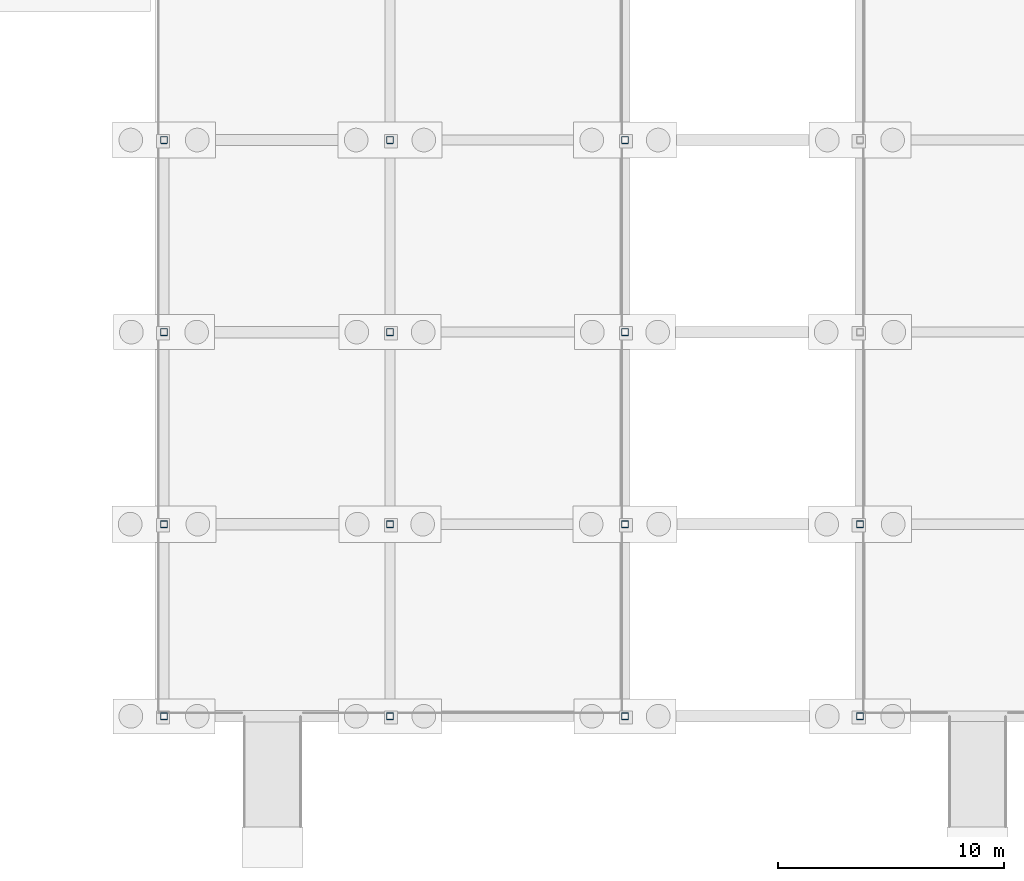
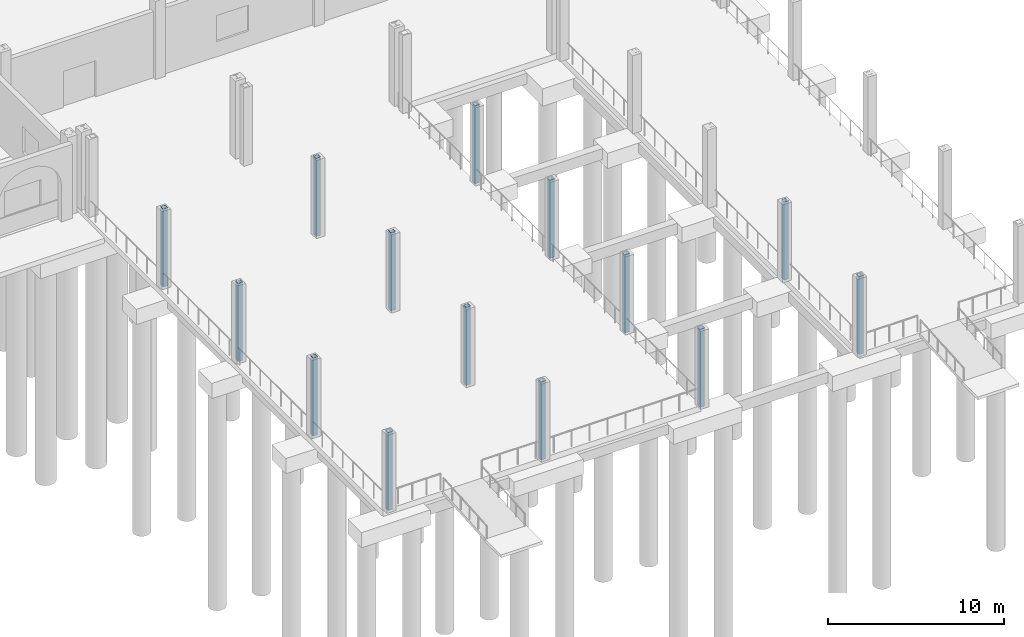
# One storey, part 28 of 83: 14 columns.
"""IFC4 building model written with IfcOpenShell, lengths in metres."""

from ifc_helpers import new_model, si_unit, direction, frame, origin, origin_2d, place, context, subcontext, project, spatial, hollow_rectangle, extrude, material, material_profile, profile_set, type_object, element, save


model = new_model("IFC4")

# Units and contexts
model_context = context("Model", 3, precision=1e-05, world=origin(), true_north=direction((0.0, 1.0)))
body_context = subcontext(model_context, "Body", "Model", "MODEL_VIEW")
ifc_project = project(units=[si_unit("LENGTHUNIT", "METRE"), si_unit("AREAUNIT", "SQUARE_METRE"), si_unit("VOLUMEUNIT", "CUBIC_METRE"), si_unit("PLANEANGLEUNIT", "RADIAN"), si_unit("MASSUNIT", "GRAM", prefix="KILO")], contexts=[model_context])

# Site, building, storey
site_placement = place(None, origin())
site = spatial("IfcSite", under=ifc_project, at=site_placement, CompositionType="ELEMENT")
building_placement = place(site_placement, origin())
building = spatial("IfcBuilding", under=site, at=building_placement, Name="Caurita Quay Ferry Terminal", CompositionType="ELEMENT")
storey_placement = place(building_placement, origin())
storey = spatial("IfcBuildingStorey", under=building, at=storey_placement, Name="L00", CompositionType="ELEMENT", Elevation=0.0)

# Columns
ifc_material = material(Name="Hollow structural steel ASTM A500 Gr. C", Category="steel")
ifc_material_profile = material_profile(ifc_material, hollow_rectangle(XDim=0.3046875, YDim=0.3046875, WallThickness=0.01171875, InnerFilletRadius=0.01171875, OuterFilletRadius=0.023681640625, at=origin_2d()), Name="HSS12X12X1/2")
ifc_profile_set = profile_set([ifc_material_profile], Name="Hollow structural steel ASTM A500 Gr. C")
column_type = type_object("IfcColumnType", Name="COL-HSS-02", PredefinedType="COLUMN", material=ifc_profile_set)
for number, where, z_axis, x_axis, name in (
    (1, (132.800048828125, 0.0, 0.0), (0.0, 0.0, 1.0), (1.0, 0.0, 0.0), "L00 Column V3-BP-15-A"),
    (2, (132.800048828125, 8.5, 0.0), (0.0, 0.0, 1.0), (1.0, 0.0, 0.0), "L00 Column V3-BP-15-B"),
    (3, (132.800048828125, 17.0, 0.0), (0.0, 0.0, 1.0), (1.0, 0.0, 0.0), "L00 Column V3-BP-15-C"),
    (4, (132.800048828125, 25.5, 0.0), (0.0, 0.0, 1.0), (1.0, 0.0, 0.0), "L00 Column V3-BP-15-D"),
    (5, (142.800048828125, 0.0, 0.0), (0.0, 0.0, 1.0), (1.0, 0.0, 0.0), "L00 Column V3-BP-16-A"),
    (6, (142.800048828125, 8.5, 0.0), (0.0, 0.0, 1.0), (1.0, 0.0, 0.0), "L00 Column V3-BP-16-B"),
    (7, (142.800048828125, 17.0, 0.0), (0.0, 0.0, 1.0), (1.0, 0.0, 0.0), "L00 Column V3-BP-16-C"),
    (8, (142.800048828125, 25.5, 0.0), (0.0, 0.0, 1.0), (1.0, 0.0, 0.0), "L00 Column V3-BP-16-D"),
    (9, (153.199951171875, 0.0, 0.0), (0.0, 0.0, 1.0), (1.0, 0.0, 0.0), "L00 Column V3-BP-17-A"),
    (10, (153.199951171875, 8.5, 0.0), (0.0, 0.0, 1.0), (1.0, 0.0, 0.0), "L00 Column V3-BP-17-B"),
    (11, (153.199951171875, 17.0, 0.0), (0.0, 0.0, 1.0), (1.0, 0.0, 0.0), "L00 Column V3-BP-17-C"),
    (12, (153.199951171875, 25.5, 0.0), (0.0, 0.0, 1.0), (1.0, 0.0, 0.0), "L00 Column V3-BP-17-D"),
    (13, (163.60009765625, 0.0, 0.0), (0.0, 0.0, 1.0), (1.0, 0.0, 0.0), "L00 Column V3-BP-18-A"),
    (14, (163.60009765625, 8.5, 0.0), (0.0, 0.0, 1.0), (1.0, 0.0, 0.0), "L00 Column V3-BP-18-B"),
):
    element("IfcColumn", number, at=place(storey_placement, frame(where, z_axis=z_axis, x_axis=x_axis)), inside=storey, type_object=column_type, Name=name, PredefinedType="COLUMN", context=body_context, shape_type="SweptSolid", body=[
        extrude(hollow_rectangle(XDim=0.3046875, YDim=0.3046875, WallThickness=0.01171875, InnerFilletRadius=0.01171875, OuterFilletRadius=0.023681640625, at=origin_2d()), origin(), (0.0, 0.0, 1.0), 5.39990234375),
    ])

save(model, "model.ifc")
